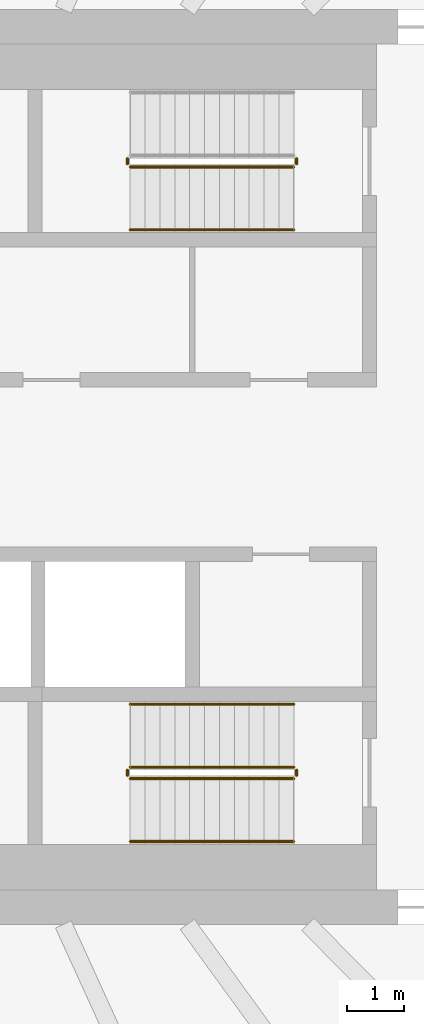
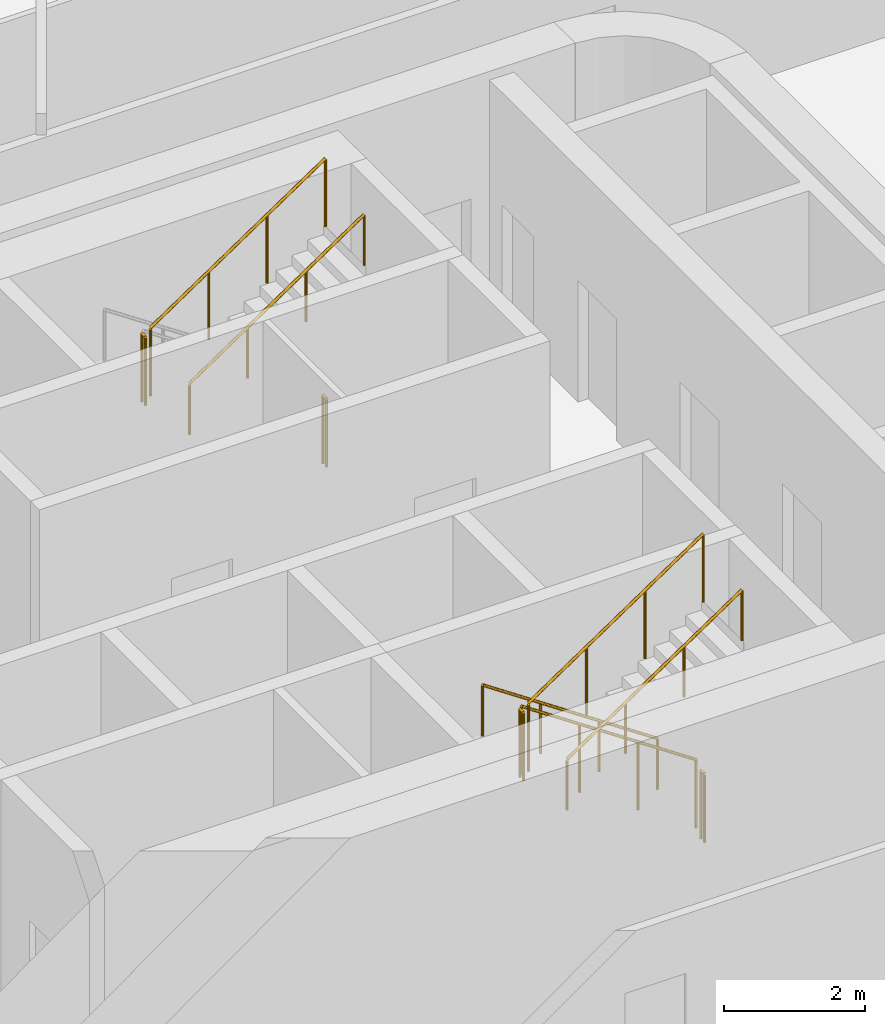
# One storey, part 23 of 25: 10 railings.
"""IFC4 building model written with IfcOpenShell, lengths in metres."""

from ifc_helpers import new_model, si_unit, direction, frame, origin, origin_2d, place, context, subcontext, project, spatial, circle, extrude, material, type_object, element, save


model = new_model("IFC4")

# Units and contexts
model_context = context("Model", 3, precision=1e-05, world=origin(), true_north=direction((0.0, 1.0)))
body_context = subcontext(model_context, "Body", "Model", "MODEL_VIEW")
ifc_project = project(units=[si_unit("LENGTHUNIT", "METRE"), si_unit("AREAUNIT", "SQUARE_METRE"), si_unit("VOLUMEUNIT", "CUBIC_METRE"), si_unit("PLANEANGLEUNIT", "RADIAN"), si_unit("MASSUNIT", "GRAM", prefix="KILO")], contexts=[model_context])

# Site, building, storey
site_placement = place(None, origin())
site = spatial("IfcSite", under=ifc_project, at=site_placement, CompositionType="ELEMENT")
building_placement = place(site_placement, origin())
building = spatial("IfcBuilding", under=site, at=building_placement, Name="Sahrelin Media Tower", CompositionType="ELEMENT")
storey_placement = place(building_placement, frame((0.0, 0.0, 114.60009765625)))
storey = spatial("IfcBuildingStorey", under=building, at=storey_placement, Name="L22", CompositionType="ELEMENT", Elevation=114.60009765625)

# Railings
ifc_material = material(Name="Steel S355", Category="steel")
railing_type_1 = type_object("IfcRailingType", Name="Stair guard 1200", PredefinedType="GUARDRAIL", material=ifc_material)
railing_1_placement = place(storey_placement, frame((4.764892578125, 5.39990234375, 2.099853515625)))
element("IfcRailing", 1, at=railing_1_placement, inside=storey, type_object=railing_type_1, Name="L22 ST3 stair guard 2", PredefinedType="GUARDRAIL", context=body_context, shape_type="SweptSolid", body=[
    extrude(circle(Radius=0.02392578125, at=origin_2d()), frame((0.0, 0.0, 1.17578125), z_axis=(0.0, -1.0, 0.0), x_axis=(1.0, 0.0, 0.0)), (0.0, 0.0, 1.0), 0.099853515625),
    extrude(circle(Radius=0.02099609375, at=origin_2d()), origin(), (0.0, 0.0, 1.0), 1.15185546875),
    extrude(circle(Radius=0.02099609375, at=origin_2d()), frame((0.0, -0.099853515625, 0.0)), (0.0, 0.0, 1.0), 1.15185546875),
])
railing_2_placement = place(storey_placement, frame((4.81494140625, 5.25, 2.27490234375)))
element("IfcRailing", 2, at=railing_2_placement, inside=storey, type_object=railing_type_1, Name="L22 ST3 stair guard 3", PredefinedType="GUARDRAIL", context=body_context, shape_type="SweptSolid", body=[
    extrude(circle(Radius=0.02392578125, at=origin_2d()), frame((0.0, 0.0, 1.17578125), z_axis=(0.829590901723, 0.0, 0.558371682465), x_axis=(0.0, 1.0, 0.0)), (0.0, 0.0, 1.0), 3.447509765625),
    extrude(circle(Radius=0.02099609375, at=origin_2d()), origin(), (0.0, 0.0, 1.0), 1.15185546875),
    extrude(circle(Radius=0.02099609375, at=origin_2d()), frame((0.953369140625, 0.0, 0.6416015625)), (0.0, 0.0, 1.0), 1.15185546875),
    extrude(circle(Radius=0.02099609375, at=origin_2d()), frame((1.90673828125, 0.0, 1.283447265625)), (0.0, 0.0, 1.0), 1.15185546875),
    extrude(circle(Radius=0.02099609375, at=origin_2d()), frame((2.860107421875, 0.0, 1.925048828125)), (0.0, 0.0, 1.0), 1.15185546875),
])
railing_3_placement = place(storey_placement, frame((7.72509765625, 5.39990234375, 0.0)))
element("IfcRailing", 3, at=railing_3_placement, inside=storey, type_object=railing_type_1, Name="L22 ST3 stair guard 4", PredefinedType="GUARDRAIL", context=body_context, shape_type="SweptSolid", body=[
    extrude(circle(Radius=0.02392578125, at=origin_2d()), frame((0.0, 0.0, 1.17578125), z_axis=(0.0, -1.0, 0.0), x_axis=(1.0, 0.0, 0.0)), (0.0, 0.0, 1.0), 0.099853515625),
    extrude(circle(Radius=0.02099609375, at=origin_2d()), origin(), (0.0, 0.0, 1.0), 1.15185546875),
    extrude(circle(Radius=0.02099609375, at=origin_2d()), frame((0.0, -0.099853515625, 0.0)), (0.0, 0.0, 1.0), 1.15185546875),
])
railing_4_placement = place(storey_placement, frame((7.675048828125, -5.25, 0.1748046875)))
element("IfcRailing", 4, at=railing_4_placement, inside=storey, type_object=railing_type_1, Name="L22 ST2 stair guard 1", PredefinedType="GUARDRAIL", context=body_context, shape_type="SweptSolid", body=[
    extrude(circle(Radius=0.02392578125, at=origin_2d()), frame((0.0, 0.0, 1.17578125), z_axis=(-0.829590901723, 0.0, 0.558371682465), x_axis=(0.0, -1.0, 0.0)), (0.0, 0.0, 1.0), 3.447509765625),
    extrude(circle(Radius=0.02099609375, at=origin_2d()), origin(), (0.0, 0.0, 1.0), 1.15185546875),
    extrude(circle(Radius=0.02099609375, at=origin_2d()), frame((-0.953369140625, 0.0, 0.6416015625)), (0.0, 0.0, 1.0), 1.15185546875),
    extrude(circle(Radius=0.02099609375, at=origin_2d()), frame((-1.90673828125, 0.0, 1.283447265625)), (0.0, 0.0, 1.0), 1.15185546875),
    extrude(circle(Radius=0.02099609375, at=origin_2d()), frame((-2.860107421875, 0.0, 1.925048828125)), (0.0, 0.0, 1.0), 1.15185546875),
])
railing_5_placement = place(storey_placement, frame((4.764892578125, -5.300048828125, 2.099853515625)))
element("IfcRailing", 5, at=railing_5_placement, inside=storey, type_object=railing_type_1, Name="L22 ST2 stair guard 2", PredefinedType="GUARDRAIL", context=body_context, shape_type="SweptSolid", body=[
    extrude(circle(Radius=0.02392578125, at=origin_2d()), frame((0.0, 0.0, 1.17578125), z_axis=(0.0, -1.0, 0.0), x_axis=(1.0, 0.0, 0.0)), (0.0, 0.0, 1.0), 0.099853515625),
    extrude(circle(Radius=0.02099609375, at=origin_2d()), origin(), (0.0, 0.0, 1.0), 1.15185546875),
    extrude(circle(Radius=0.02099609375, at=origin_2d()), frame((0.0, -0.099853515625, 0.0)), (0.0, 0.0, 1.0), 1.15185546875),
])
railing_6_placement = place(storey_placement, frame((4.81494140625, -5.449951171875, 2.27490234375)))
element("IfcRailing", 6, at=railing_6_placement, inside=storey, type_object=railing_type_1, Name="L22 ST2 stair guard 3", PredefinedType="GUARDRAIL", context=body_context, shape_type="SweptSolid", body=[
    extrude(circle(Radius=0.02392578125, at=origin_2d()), frame((0.0, 0.0, 1.17578125), z_axis=(0.829590901723, 0.0, 0.558371682465), x_axis=(0.0, 1.0, 0.0)), (0.0, 0.0, 1.0), 3.447509765625),
    extrude(circle(Radius=0.02099609375, at=origin_2d()), origin(), (0.0, 0.0, 1.0), 1.15185546875),
    extrude(circle(Radius=0.02099609375, at=origin_2d()), frame((0.953369140625, 0.0, 0.6416015625)), (0.0, 0.0, 1.0), 1.15185546875),
    extrude(circle(Radius=0.02099609375, at=origin_2d()), frame((1.90673828125, 0.0, 1.283447265625)), (0.0, 0.0, 1.0), 1.15185546875),
    extrude(circle(Radius=0.02099609375, at=origin_2d()), frame((2.860107421875, 0.0, 1.925048828125)), (0.0, 0.0, 1.0), 1.15185546875),
])
railing_7_placement = place(storey_placement, frame((7.72509765625, -5.300048828125, 0.0)))
element("IfcRailing", 7, at=railing_7_placement, inside=storey, type_object=railing_type_1, Name="L22 ST2 stair guard 4", PredefinedType="GUARDRAIL", context=body_context, shape_type="SweptSolid", body=[
    extrude(circle(Radius=0.02392578125, at=origin_2d()), frame((0.0, 0.0, 1.17578125), z_axis=(0.0, -1.0, 0.0), x_axis=(1.0, 0.0, 0.0)), (0.0, 0.0, 1.0), 0.099853515625),
    extrude(circle(Radius=0.02099609375, at=origin_2d()), origin(), (0.0, 0.0, 1.0), 1.15185546875),
    extrude(circle(Radius=0.02099609375, at=origin_2d()), frame((0.0, -0.099853515625, 0.0)), (0.0, 0.0, 1.0), 1.15185546875),
])
railing_type_2 = type_object("IfcRailingType", Name="Stair handrail 900", PredefinedType="HANDRAIL", material=ifc_material)
railing_8_placement = place(storey_placement, frame((4.81494140625, 4.14990234375, 2.27490234375)))
element("IfcRailing", 8, at=railing_8_placement, inside=storey, type_object=railing_type_2, Name="L22 ST3 stair handrail 2", PredefinedType="HANDRAIL", context=body_context, shape_type="SweptSolid", body=[
    extrude(circle(Radius=0.02392578125, at=origin_2d()), frame((0.0, 0.0, 0.8759765625), z_axis=(0.829590901723, 0.0, 0.558371682465), x_axis=(0.0, 1.0, 0.0)), (0.0, 0.0, 1.0), 3.447509765625),
    extrude(circle(Radius=0.02099609375, at=origin_2d()), origin(), (0.0, 0.0, 1.0), 0.851806640625),
    extrude(circle(Radius=0.02099609375, at=origin_2d()), frame((0.953369140625, 0.0, 0.6416015625)), (0.0, 0.0, 1.0), 0.851806640625),
    extrude(circle(Radius=0.02099609375, at=origin_2d()), frame((1.90673828125, 0.0, 1.283447265625)), (0.0, 0.0, 1.0), 0.851806640625),
    extrude(circle(Radius=0.02099609375, at=origin_2d()), frame((2.860107421875, 0.0, 1.925048828125)), (0.0, 0.0, 1.0), 0.851806640625),
])
railing_9_placement = place(storey_placement, frame((7.675048828125, -4.14990234375, 0.1748046875)))
element("IfcRailing", 9, at=railing_9_placement, inside=storey, type_object=railing_type_2, Name="L22 ST2 stair handrail 1", PredefinedType="HANDRAIL", context=body_context, shape_type="SweptSolid", body=[
    extrude(circle(Radius=0.02392578125, at=origin_2d()), frame((0.0, 0.0, 0.8759765625), z_axis=(-0.829590901723, 0.0, 0.558371682465), x_axis=(0.0, -1.0, 0.0)), (0.0, 0.0, 1.0), 3.447509765625),
    extrude(circle(Radius=0.02099609375, at=origin_2d()), origin(), (0.0, 0.0, 1.0), 0.851806640625),
    extrude(circle(Radius=0.02099609375, at=origin_2d()), frame((-0.953369140625, 0.0, 0.6416015625)), (0.0, 0.0, 1.0), 0.851806640625),
    extrude(circle(Radius=0.02099609375, at=origin_2d()), frame((-1.90673828125, 0.0, 1.283447265625)), (0.0, 0.0, 1.0), 0.851806640625),
    extrude(circle(Radius=0.02099609375, at=origin_2d()), frame((-2.860107421875, 0.0, 1.925048828125)), (0.0, 0.0, 1.0), 0.851806640625),
])
railing_10_placement = place(storey_placement, frame((4.81494140625, -6.550048828125, 2.27490234375)))
element("IfcRailing", 10, at=railing_10_placement, inside=storey, type_object=railing_type_2, Name="L22 ST2 stair handrail 2", PredefinedType="HANDRAIL", context=body_context, shape_type="SweptSolid", body=[
    extrude(circle(Radius=0.02392578125, at=origin_2d()), frame((0.0, 0.0, 0.8759765625), z_axis=(0.829590901723, 0.0, 0.558371682465), x_axis=(0.0, 1.0, 0.0)), (0.0, 0.0, 1.0), 3.447509765625),
    extrude(circle(Radius=0.02099609375, at=origin_2d()), origin(), (0.0, 0.0, 1.0), 0.851806640625),
    extrude(circle(Radius=0.02099609375, at=origin_2d()), frame((0.953369140625, 0.0, 0.6416015625)), (0.0, 0.0, 1.0), 0.851806640625),
    extrude(circle(Radius=0.02099609375, at=origin_2d()), frame((1.90673828125, 0.0, 1.283447265625)), (0.0, 0.0, 1.0), 0.851806640625),
    extrude(circle(Radius=0.02099609375, at=origin_2d()), frame((2.860107421875, 0.0, 1.925048828125)), (0.0, 0.0, 1.0), 0.851806640625),
])

save(model, "model.ifc")
